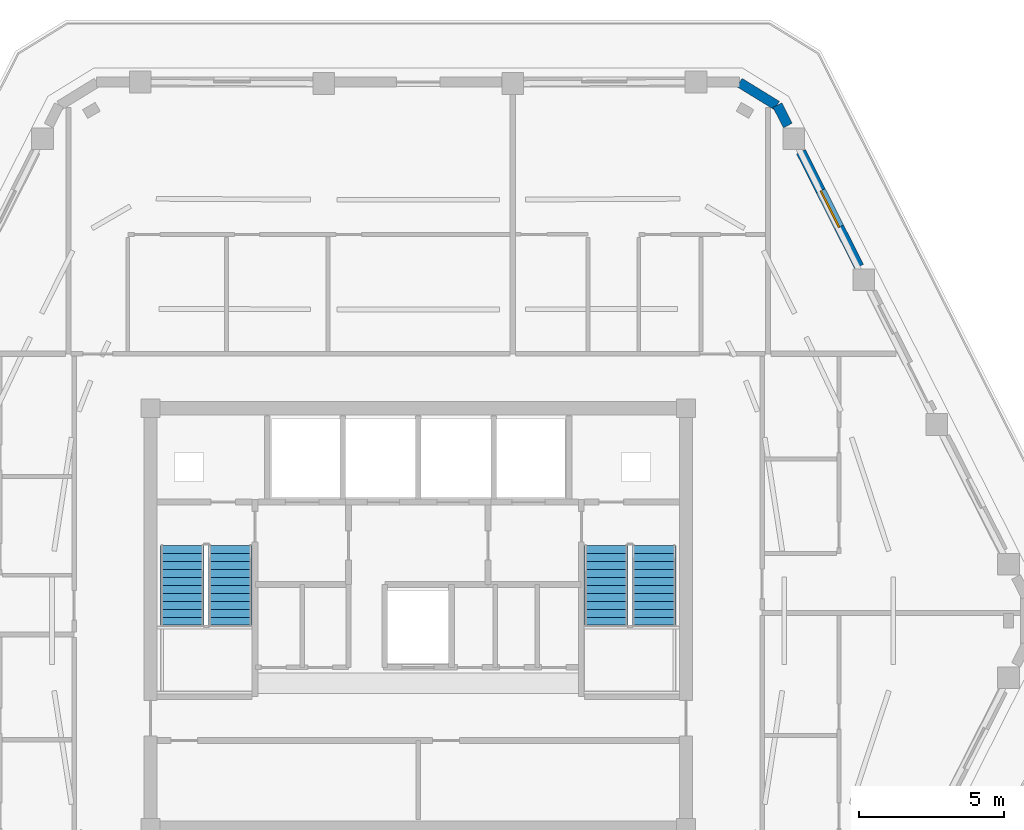
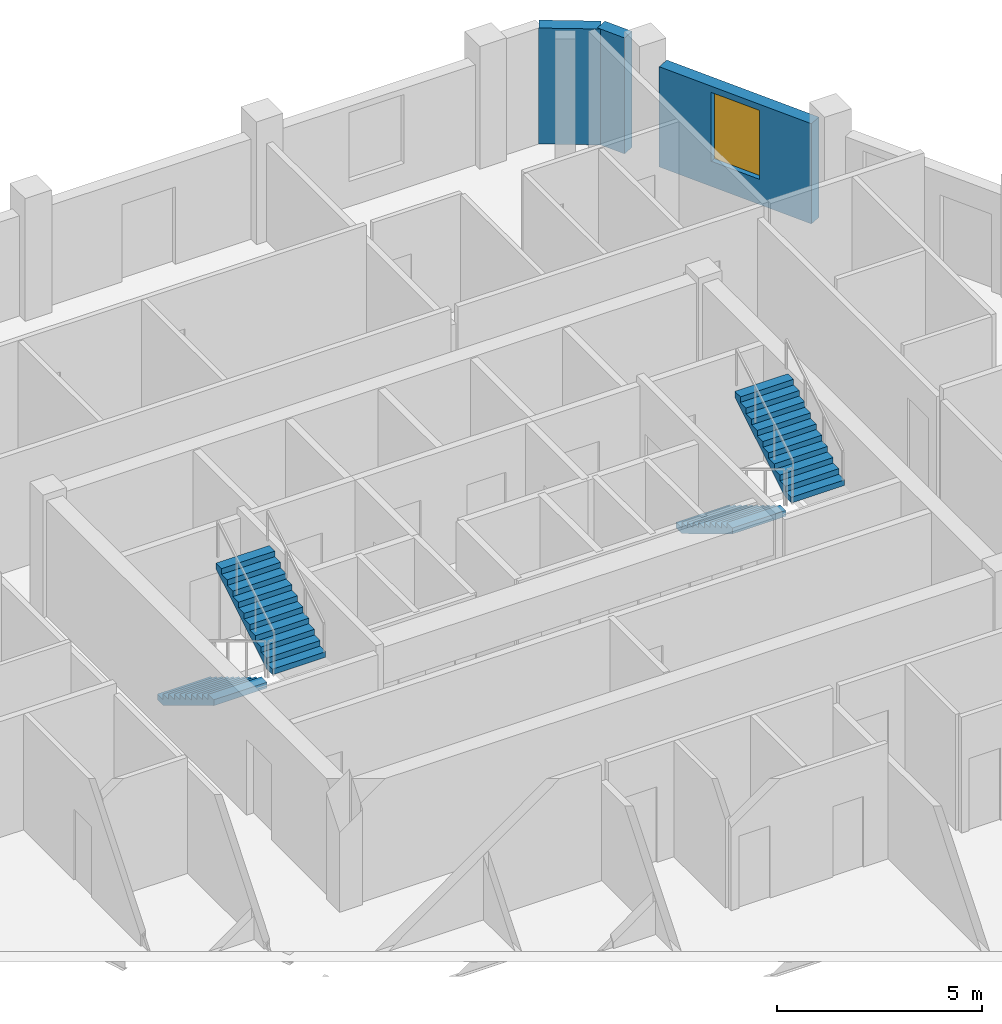
# One storey, part 7 of 10: 4 stair flights, 3 walls, 1 window, 1 opening, 2 elements without a shape of their own.
"""IFC4 building model written with IfcOpenShell, lengths in metres."""

from ifc_helpers import new_model, si_unit, direction, frame, frame_2d, origin, place, context, subcontext, project, spatial, polyline, rectangle, outline, extrude, material, layer, layer_set, type_object, element, fill, aggregate, save


model = new_model("IFC4")

# Units and contexts
model_context = context("Model", 3, precision=1e-05, world=origin(), true_north=direction((0.0, 1.0)))
body_context = subcontext(model_context, "Body", "Model", "MODEL_VIEW")
ifc_project = project(units=[si_unit("LENGTHUNIT", "METRE"), si_unit("AREAUNIT", "SQUARE_METRE"), si_unit("VOLUMEUNIT", "CUBIC_METRE"), si_unit("PLANEANGLEUNIT", "RADIAN"), si_unit("MASSUNIT", "GRAM", prefix="KILO")], contexts=[model_context])

# Site, building, storey
site_placement = place(None, origin())
site = spatial("IfcSite", under=ifc_project, at=site_placement, CompositionType="ELEMENT")
building_placement = place(site_placement, origin())
building = spatial("IfcBuilding", under=site, at=building_placement, Name="Cinnabar Lancet Tower", CompositionType="ELEMENT")
storey_placement = place(building_placement, frame((0.0, 0.0, 227.0)))
storey = spatial("IfcBuildingStorey", under=building, at=storey_placement, Name="L60", CompositionType="ELEMENT", Elevation=227.0)

# Wall
ifc_material_1 = material(Name="Cinnabar red clay brick", Category="masonry")
ifc_layer = layer(ifc_material_1, 0.340087890625)
ifc_layer_set = layer_set([ifc_layer], Name="Cinnabar red clay brick")
wall_type = type_object("IfcWallType", Name="ENV-WL-BRK-RED-340", PredefinedType="STANDARD", material=ifc_layer_set)
wall_1_placement = place(storey_placement, frame((44.7529296875, 43.554931640625, 0.0), z_axis=(0.0, 0.0, 1.0), x_axis=(-0.851680557619, 0.52406128246, 0.0)))
element("IfcWall", 1, at=wall_1_placement, inside=storey, type_object=wall_type, Name="L60 Chamfered Corner Brick Pier 4.1", PredefinedType="STANDARD", context=body_context, shape_type="SweptSolid", body=[
    extrude(rectangle(XDim=1.507568359375, YDim=0.340087890625, at=frame_2d((0.75390625, 0.0))), origin(), (0.0, 0.0, 1.0), 3.449951171875),
])

# Wall, opening, window
wall_2_placement = place(storey_placement, frame((47.5859375, 38.010009765625, 0.0), z_axis=(0.0, 0.0, 1.0), x_axis=(-0.451463046281, 0.89228981718, 0.0)))
wall_2 = element("IfcWall", 2, at=wall_2_placement, inside=storey, type_object=wall_type, Name="L60 Face 3 Masonry Bay Wall 4", PredefinedType="STANDARD", context=body_context, shape_type="SweptSolid", body=[
    extrude(rectangle(XDim=4.429931640625, YDim=0.340087890625, at=frame_2d((2.21484375, 0.0))), origin(), (0.0, 0.0, 1.0), 2.98291015625),
])
opening_placement = place(wall_2_placement, frame((1.514892578125, 0.0, 0.75)))
opening = element("IfcOpeningElement", 3, at=opening_placement, cuts=wall_2, Name="Opening WN-02", PredefinedType="OPENING", context=body_context, shape_type="SweptSolid", body=[
    extrude(rectangle(XDim=1.39990234375, YDim=2.050048828125, at=frame_2d((0.699951171875, 1.02490234375))), frame((0.0, 0.179931640625, 0.0), z_axis=(0.0, -1.0, 0.0), x_axis=(1.0, 0.0, 0.0)), (0.0, 0.0, 1.0), 0.360107421875),
])
ifc_material_2 = material(Name="Thermally broken bronze-anodized aluminium low-E double glazing", Category="aluminium")
window_type = type_object("IfcWindowType", Name="ENV-WN-LANCET-1400", PartitioningType="SINGLE_PANEL", PredefinedType="WINDOW", material=ifc_material_2)
window_placement = place(opening_placement, origin())
window = element("IfcWindow", 4, at=window_placement, inside=storey, type_object=window_type, Name="L60 Face 3 Gothic Lancet Window 4", OverallHeight=2.050048828125, OverallWidth=1.39990234375, PartitioningType="SINGLE_PANEL", PredefinedType="WINDOW", context=body_context, shape_type="SweptSolid", body=[
    extrude(rectangle(XDim=1.39990234375, YDim=2.050048828125, at=frame_2d((0.699951171875, 1.02490234375))), frame((0.0, 0.030029296875, 0.0), z_axis=(0.0, -1.0, 0.0), x_axis=(1.0, 0.0, 0.0)), (0.0, 0.0, 1.0), 0.06005859375),
])
fill(opening, window)

# Wall
wall_3_placement = place(storey_placement, frame((45.1298828125, 42.864990234375, 0.0), z_axis=(0.0, 0.0, 1.0), x_axis=(-0.451159191899, 0.892443490404, 0.0)))
element("IfcWall", 5, at=wall_3_placement, inside=storey, type_object=wall_type, Name="L60 Face 3 Masonry Bay Wall 5", PredefinedType="STANDARD", context=body_context, shape_type="SweptSolid", body=[
    extrude(rectangle(XDim=0.791259765625, YDim=0.340087890625, at=frame_2d((0.3955078125, 0.0))), origin(), (0.0, 0.0, 1.0), 3.449951171875),
])

# Stair, stair flights
ifc_material_3 = material(Name="Concrete C40/50", Category="concrete")
stair_type = type_object("IfcStairType", Name="ST-CORE", PredefinedType="HALF_TURN_STAIR", material=ifc_material_3)
stair_1_placement = place(storey_placement, origin())
stair_1 = element("IfcStair", 6, at=stair_1_placement, inside=storey, type_object=stair_type, Name="L60 ST-1", PredefinedType="HALF_TURN_STAIR")
ifc_material_4 = material(Name="Concrete C40/50", Category="concrete")
stair_flight_type = type_object("IfcStairFlightType", Name="FLIGHT-CORE", PredefinedType="STRAIGHT", material=ifc_material_4)
stair_flight_1_placement = place(storey_placement, frame((24.27490234375, 28.39990234375, 0.0), z_axis=(0.0, 0.0, 1.0), x_axis=(0.0, -1.0, 0.0)))
stair_flight_1 = element("IfcStairFlight", 7, at=stair_flight_1_placement, type_object=stair_flight_type, Name="ST-1 flight 1", NumberOfRisers=11, NumberOfTreads=10, PredefinedType="STRAIGHT", RiserHeight=0.165909091, TreadLength=0.275, context=body_context, shape_type="SweptSolid", body=[
    extrude(outline(polyline([(0.0, 0.0), (0.0, 0.166015625), (0.27490234375, 0.166015625), (0.27490234375, 0.331787109375), (0.550048828125, 0.331787109375), (0.550048828125, 0.497802734375), (0.824951171875, 0.497802734375), (0.824951171875, 0.66357421875), (1.10009765625, 0.66357421875), (1.10009765625, 0.82958984375), (1.375, 0.82958984375), (1.375, 0.995361328125), (1.64990234375, 0.995361328125), (1.64990234375, 1.161376953125), (1.925048828125, 1.161376953125), (1.925048828125, 1.327392578125), (2.199951171875, 1.327392578125), (2.199951171875, 1.4931640625), (2.47509765625, 1.4931640625), (2.47509765625, 1.6591796875), (2.75, 1.6591796875), (2.75, 1.824951171875), (2.75, 1.484130859375), (0.290283203125, 0.0), (0.0, 0.0)])), frame((0.0, 0.75, 0.0), z_axis=(0.0, -1.0, 0.0), x_axis=(1.0, 0.0, 0.0)), (0.0, 0.0, 1.0), 1.5),
])
stair_flight_2_placement = place(storey_placement, frame((25.925048828125, 25.64990234375, 1.824951171875), z_axis=(0.0, 0.0, 1.0), x_axis=(0.0, 1.0, 0.0)))
stair_flight_2 = element("IfcStairFlight", 8, at=stair_flight_2_placement, type_object=stair_flight_type, Name="ST-1 flight 2", NumberOfRisers=11, NumberOfTreads=10, PredefinedType="STRAIGHT", RiserHeight=0.165909091, TreadLength=0.275, context=body_context, shape_type="SweptSolid", body=[
    extrude(outline(polyline([(0.0, 0.0), (0.0, 0.166015625), (0.27490234375, 0.166015625), (0.27490234375, 0.331787109375), (0.550048828125, 0.331787109375), (0.550048828125, 0.497802734375), (0.824951171875, 0.497802734375), (0.824951171875, 0.66357421875), (1.10009765625, 0.66357421875), (1.10009765625, 0.82958984375), (1.375, 0.82958984375), (1.375, 0.995361328125), (1.64990234375, 0.995361328125), (1.64990234375, 1.161376953125), (1.925048828125, 1.161376953125), (1.925048828125, 1.327392578125), (2.199951171875, 1.327392578125), (2.199951171875, 1.4931640625), (2.47509765625, 1.4931640625), (2.47509765625, 1.6591796875), (2.75, 1.6591796875), (2.75, 1.824951171875), (2.75, 1.484130859375), (0.290283203125, 0.0), (0.0, 0.0)])), frame((0.0, 0.75, 0.0), z_axis=(0.0, -1.0, 0.0), x_axis=(1.0, 0.0, 0.0)), (0.0, 0.0, 1.0), 1.5),
])
aggregate(stair_1, [stair_flight_1, stair_flight_2])

stair_2_placement = place(storey_placement, origin())
stair_2 = element("IfcStair", 9, at=stair_2_placement, inside=storey, type_object=stair_type, Name="L60 ST-2", PredefinedType="HALF_TURN_STAIR")
stair_flight_3_placement = place(storey_placement, frame((38.875, 28.39990234375, 0.0), z_axis=(0.0, 0.0, 1.0), x_axis=(0.0, -1.0, 0.0)))
stair_flight_3 = element("IfcStairFlight", 10, at=stair_flight_3_placement, type_object=stair_flight_type, Name="ST-2 flight 1", NumberOfRisers=11, NumberOfTreads=10, PredefinedType="STRAIGHT", RiserHeight=0.165909091, TreadLength=0.275, context=body_context, shape_type="SweptSolid", body=[
    extrude(outline(polyline([(0.0, 0.0), (0.0, 0.166015625), (0.27490234375, 0.166015625), (0.27490234375, 0.331787109375), (0.550048828125, 0.331787109375), (0.550048828125, 0.497802734375), (0.824951171875, 0.497802734375), (0.824951171875, 0.66357421875), (1.10009765625, 0.66357421875), (1.10009765625, 0.82958984375), (1.375, 0.82958984375), (1.375, 0.995361328125), (1.64990234375, 0.995361328125), (1.64990234375, 1.161376953125), (1.925048828125, 1.161376953125), (1.925048828125, 1.327392578125), (2.199951171875, 1.327392578125), (2.199951171875, 1.4931640625), (2.47509765625, 1.4931640625), (2.47509765625, 1.6591796875), (2.75, 1.6591796875), (2.75, 1.824951171875), (2.75, 1.484130859375), (0.290283203125, 0.0), (0.0, 0.0)])), frame((0.0, 0.75, 0.0), z_axis=(0.0, -1.0, 0.0), x_axis=(1.0, 0.0, 0.0)), (0.0, 0.0, 1.0), 1.5),
])
stair_flight_4_placement = place(storey_placement, frame((40.52490234375, 25.64990234375, 1.824951171875), z_axis=(0.0, 0.0, 1.0), x_axis=(0.0, 1.0, 0.0)))
stair_flight_4 = element("IfcStairFlight", 11, at=stair_flight_4_placement, type_object=stair_flight_type, Name="ST-2 flight 2", NumberOfRisers=11, NumberOfTreads=10, PredefinedType="STRAIGHT", RiserHeight=0.165909091, TreadLength=0.275, context=body_context, shape_type="SweptSolid", body=[
    extrude(outline(polyline([(0.0, 0.0), (0.0, 0.166015625), (0.27490234375, 0.166015625), (0.27490234375, 0.331787109375), (0.550048828125, 0.331787109375), (0.550048828125, 0.497802734375), (0.824951171875, 0.497802734375), (0.824951171875, 0.66357421875), (1.10009765625, 0.66357421875), (1.10009765625, 0.82958984375), (1.375, 0.82958984375), (1.375, 0.995361328125), (1.64990234375, 0.995361328125), (1.64990234375, 1.161376953125), (1.925048828125, 1.161376953125), (1.925048828125, 1.327392578125), (2.199951171875, 1.327392578125), (2.199951171875, 1.4931640625), (2.47509765625, 1.4931640625), (2.47509765625, 1.6591796875), (2.75, 1.6591796875), (2.75, 1.824951171875), (2.75, 1.484130859375), (0.290283203125, 0.0), (0.0, 0.0)])), frame((0.0, 0.75, 0.0), z_axis=(0.0, -1.0, 0.0), x_axis=(1.0, 0.0, 0.0)), (0.0, 0.0, 1.0), 1.5),
])
aggregate(stair_2, [stair_flight_3, stair_flight_4])

save(model, "model.ifc")
